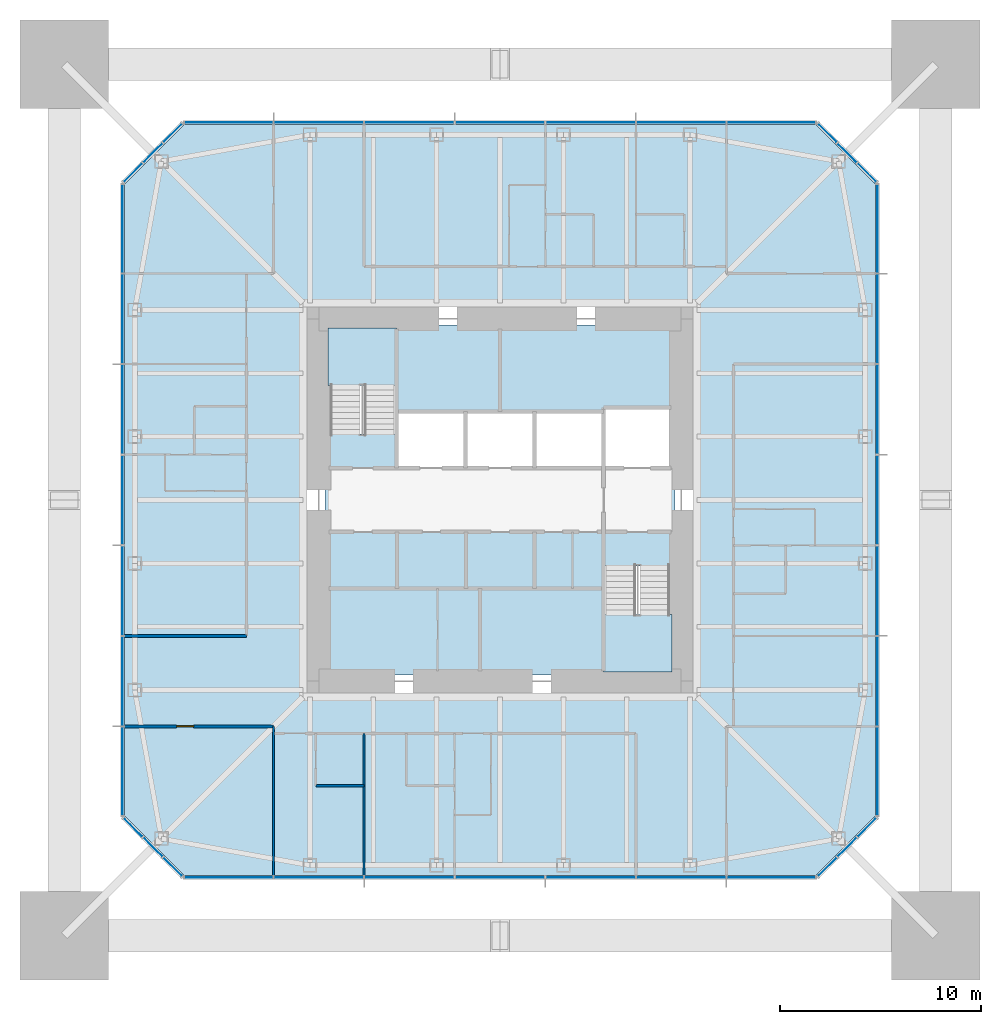
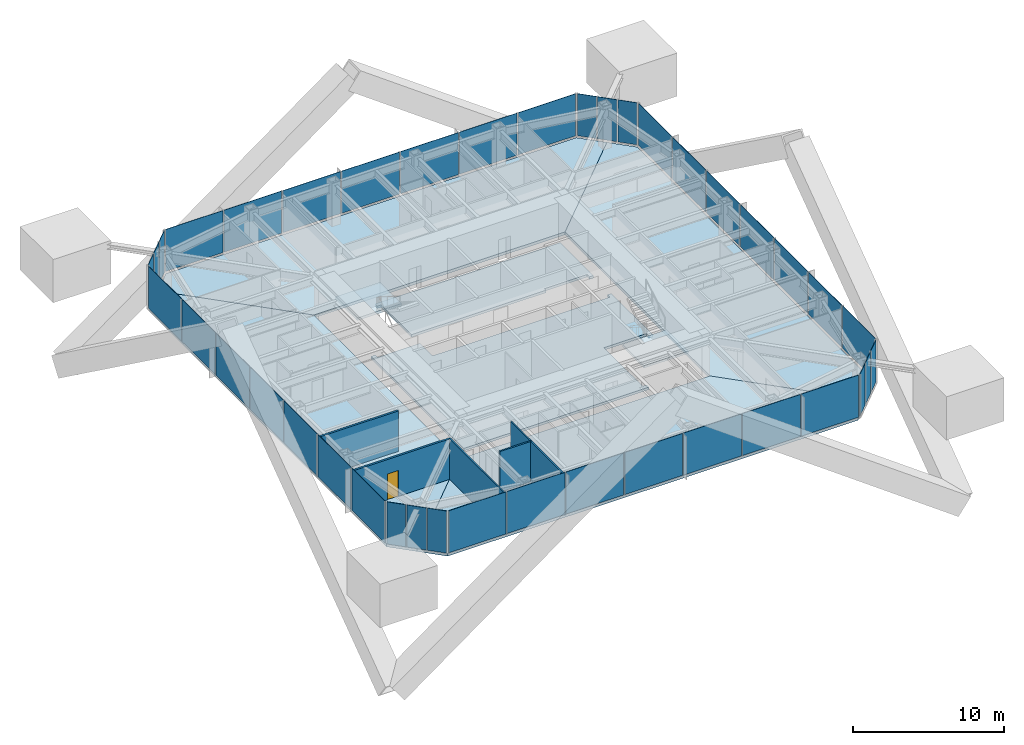
# One storey, part 7 of 13: 40 plates, 8 slabs, 5 walls, 1 door, 1 opening, 10 elements without a shape of their own.
"""IFC4 building model written with IfcOpenShell, lengths in metres."""

from ifc_helpers import new_model, si_unit, direction, frame, frame_2d, origin, origin_2d, place, context, subcontext, project, spatial, polyline, rectangle, outline, extrude, material, layer, layer_set, constituent, constituent_set, type_object, element, fill, aggregate, save


model = new_model("IFC4")

# Units and contexts
model_context = context("Model", 3, precision=1e-05, world=origin(), true_north=direction((0.0, 1.0)))
body_context = subcontext(model_context, "Body", "Model", "MODEL_VIEW")
ifc_project = project(units=[si_unit("LENGTHUNIT", "METRE"), si_unit("AREAUNIT", "SQUARE_METRE"), si_unit("VOLUMEUNIT", "CUBIC_METRE"), si_unit("PLANEANGLEUNIT", "RADIAN"), si_unit("MASSUNIT", "GRAM", prefix="KILO")], contexts=[model_context])

# Site, building, storey
site_placement = place(None, origin())
site = spatial("IfcSite", under=ifc_project, at=site_placement, CompositionType="ELEMENT")
building_placement = place(site_placement, origin())
building = spatial("IfcBuilding", under=site, at=building_placement, Name="Iwan Alto Co-Living Towers", CompositionType="ELEMENT")
storey_placement = place(building_placement, frame((0.0, 0.0, 184.5)))
storey = spatial("IfcBuildingStorey", under=building, at=storey_placement, Name="L50", CompositionType="ELEMENT", Elevation=184.5)

# Slabs
ifc_material_1 = material(Name="Concrete f'c 30 MPa", Category="concrete")
ifc_layer_1 = layer(ifc_material_1, 0.199951171875)
ifc_layer_set_1 = layer_set([ifc_layer_1], Name="CORE FLOOR SLAB 200")
slab_type_1 = type_object("IfcSlabType", Name="CORE FLOOR SLAB 200", PredefinedType="FLOOR", material=ifc_layer_set_1)
slab_1_placement = place(storey_placement, frame((0.0, 0.0, -0.199951171875)))
element("IfcSlab", 1, at=slab_1_placement, inside=storey, type_object=slab_type_1, Name="T1 core floor L50", PredefinedType="FLOOR", context=body_context, shape_type="SweptSolid", body=[
    extrude(outline(polyline([(5.14990234375, -8.39990234375), (5.4599609375, -8.39990234375), (5.4599609375, -8.699951171875), (-8.699951171875, -8.699951171875), (-8.699951171875, 3.580078125), (-8.39990234375, 3.580078125), (-8.39990234375, 3.27001953125), (-5.14990234375, 3.27001953125), (-5.14990234375, 1.60009765625), (-1.717041015625, 1.60009765625), (1.717041015625, 1.60009765625), (5.14990234375, 1.60009765625), (8.39990234375, 1.60009765625), (8.39990234375, 1.909912109375), (8.699951171875, 1.909912109375), (8.699951171875, -3.580078125), (8.39990234375, -3.580078125), (8.39990234375, -3.27001953125), (5.14990234375, -3.27001953125), (5.14990234375, -8.39990234375)])), origin(), (0.0, 0.0, 1.0), 0.199951171875),
])
slab_2_placement = place(storey_placement, frame((0.0, 0.0, -0.199951171875)))
element("IfcSlab", 2, at=slab_2_placement, inside=storey, type_object=slab_type_1, Name="T1 core floor L50", PredefinedType="FLOOR", context=body_context, shape_type="SweptSolid", body=[
    extrude(outline(polyline([(1.717041015625, 4.39990234375), (-1.717041015625, 4.39990234375), (-5.14990234375, 4.39990234375), (-5.14990234375, 8.39990234375), (-5.4599609375, 8.39990234375), (-5.4599609375, 8.699951171875), (8.699951171875, 8.699951171875), (8.699951171875, 4.2900390625), (8.39990234375, 4.2900390625), (8.39990234375, 4.60009765625), (5.14990234375, 4.60009765625), (5.14990234375, 4.39990234375), (1.717041015625, 4.39990234375)])), origin(), (0.0, 0.0, 1.0), 0.199951171875),
])

# Curtain wall, plates
ifc_material_2 = material(Name="Bronze aluminium unitised frame", Category="aluminium")
curtain_wall_type_1 = type_object("IfcCurtainWallType", Name="CURTAIN WALL CW-A", PredefinedType="NOTDEFINED", material=ifc_material_2)
curtain_wall_1_placement = place(storey_placement, origin())
curtain_wall_1 = element("IfcCurtainWall", 3, at=curtain_wall_1_placement, inside=storey, type_object=curtain_wall_type_1, Name="T1 curtain wall S L50", PredefinedType="NOTDEFINED")
ifc_material_3 = material(Name="Bronze-tinted insulating glass", Category="glass")
ifc_layer_2 = layer(ifc_material_3, 0.031982421875)
ifc_layer_set_2 = layer_set([ifc_layer_2], Name="CW-A PANEL TINTED IGU 32")
plate_type_1 = type_object("IfcPlateType", Name="CW-A PANEL TINTED IGU 32", PredefinedType="CURTAIN_PANEL", material=ifc_layer_set_2)
plate_1_placement = place(storey_placement, frame((-13.47998046875, -18.75, 0.10009765625), z_axis=(0.0, 0.0, 1.0), x_axis=(1.0, 0.0, 0.0)))
plate_1 = element("IfcPlate", 4, at=plate_1_placement, type_object=plate_type_1, Name="CW-A panel 1.1", PredefinedType="CURTAIN_PANEL", context=body_context, shape_type="SweptSolid", body=[
    extrude(rectangle(XDim=4.3798828125, YDim=0.031982421875, at=origin_2d()), origin(), (0.0, 0.0, 1.0), 3.39990234375),
])
plate_2_placement = place(storey_placement, frame((-9.0, -18.75, 0.10009765625), z_axis=(0.0, 0.0, 1.0), x_axis=(1.0, 0.0, 0.0)))
plate_2 = element("IfcPlate", 5, at=plate_2_placement, type_object=plate_type_1, Name="CW-A panel 2.1", PredefinedType="CURTAIN_PANEL", context=body_context, shape_type="SweptSolid", body=[
    extrude(rectangle(XDim=4.419921875, YDim=0.031982421875, at=origin_2d()), origin(), (0.0, 0.0, 1.0), 3.39990234375),
])
plate_3_placement = place(storey_placement, frame((-4.5, -18.75, 0.10009765625), z_axis=(0.0, 0.0, 1.0), x_axis=(1.0, 0.0, 0.0)))
plate_3 = element("IfcPlate", 6, at=plate_3_placement, type_object=plate_type_1, Name="CW-A panel 3.1", PredefinedType="CURTAIN_PANEL", context=body_context, shape_type="SweptSolid", body=[
    extrude(rectangle(XDim=4.419921875, YDim=0.031982421875, at=origin_2d()), origin(), (0.0, 0.0, 1.0), 3.39990234375),
])
plate_4_placement = place(storey_placement, frame((0.0, -18.75, 0.10009765625), z_axis=(0.0, 0.0, 1.0), x_axis=(1.0, 0.0, 0.0)))
plate_4 = element("IfcPlate", 7, at=plate_4_placement, type_object=plate_type_1, Name="CW-A panel 4.1", PredefinedType="CURTAIN_PANEL", context=body_context, shape_type="SweptSolid", body=[
    extrude(rectangle(XDim=4.419921875, YDim=0.031982421875, at=origin_2d()), origin(), (0.0, 0.0, 1.0), 3.39990234375),
])
plate_5_placement = place(storey_placement, frame((4.5, -18.75, 0.10009765625), z_axis=(0.0, 0.0, 1.0), x_axis=(1.0, 0.0, 0.0)))
plate_5 = element("IfcPlate", 8, at=plate_5_placement, type_object=plate_type_1, Name="CW-A panel 5.1", PredefinedType="CURTAIN_PANEL", context=body_context, shape_type="SweptSolid", body=[
    extrude(rectangle(XDim=4.419921875, YDim=0.031982421875, at=origin_2d()), origin(), (0.0, 0.0, 1.0), 3.39990234375),
])
plate_6_placement = place(storey_placement, frame((9.0, -18.75, 0.10009765625), z_axis=(0.0, 0.0, 1.0), x_axis=(1.0, 0.0, 0.0)))
plate_6 = element("IfcPlate", 9, at=plate_6_placement, type_object=plate_type_1, Name="CW-A panel 6.1", PredefinedType="CURTAIN_PANEL", context=body_context, shape_type="SweptSolid", body=[
    extrude(rectangle(XDim=4.419921875, YDim=0.031982421875, at=origin_2d()), origin(), (0.0, 0.0, 1.0), 3.39990234375),
])
plate_7_placement = place(storey_placement, frame((13.47998046875, -18.75, 0.10009765625), z_axis=(0.0, 0.0, 1.0), x_axis=(1.0, 0.0, 0.0)))
plate_7 = element("IfcPlate", 10, at=plate_7_placement, type_object=plate_type_1, Name="CW-A panel 7.1", PredefinedType="CURTAIN_PANEL", context=body_context, shape_type="SweptSolid", body=[
    extrude(rectangle(XDim=4.3798828125, YDim=0.031982421875, at=origin_2d()), origin(), (0.0, 0.0, 1.0), 3.39990234375),
])
aggregate(curtain_wall_1, [plate_1, plate_2, plate_3, plate_4, plate_5, plate_6, plate_7])

curtain_wall_2_placement = place(storey_placement, origin())
curtain_wall_2 = element("IfcCurtainWall", 11, at=curtain_wall_2_placement, inside=storey, type_object=curtain_wall_type_1, Name="T1 curtain wall E L50", PredefinedType="NOTDEFINED")
plate_8_placement = place(storey_placement, frame((18.75, -13.47998046875, 0.10009765625), z_axis=(0.0, 0.0, 1.0), x_axis=(0.0, 1.0, 0.0)))
plate_8 = element("IfcPlate", 12, at=plate_8_placement, type_object=plate_type_1, Name="CW-A panel 1.1", PredefinedType="CURTAIN_PANEL", context=body_context, shape_type="SweptSolid", body=[
    extrude(rectangle(XDim=4.3798828125, YDim=0.031982421875, at=origin_2d()), origin(), (0.0, 0.0, 1.0), 3.39990234375),
])
plate_9_placement = place(storey_placement, frame((18.75, -9.0, 0.10009765625), z_axis=(0.0, 0.0, 1.0), x_axis=(0.0, 1.0, 0.0)))
plate_9 = element("IfcPlate", 13, at=plate_9_placement, type_object=plate_type_1, Name="CW-A panel 2.1", PredefinedType="CURTAIN_PANEL", context=body_context, shape_type="SweptSolid", body=[
    extrude(rectangle(XDim=4.419921875, YDim=0.031982421875, at=origin_2d()), origin(), (0.0, 0.0, 1.0), 3.39990234375),
])
plate_10_placement = place(storey_placement, frame((18.75, -4.5, 0.10009765625), z_axis=(0.0, 0.0, 1.0), x_axis=(0.0, 1.0, 0.0)))
plate_10 = element("IfcPlate", 14, at=plate_10_placement, type_object=plate_type_1, Name="CW-A panel 3.1", PredefinedType="CURTAIN_PANEL", context=body_context, shape_type="SweptSolid", body=[
    extrude(rectangle(XDim=4.419921875, YDim=0.031982421875, at=origin_2d()), origin(), (0.0, 0.0, 1.0), 3.39990234375),
])
plate_11_placement = place(storey_placement, frame((18.75, 0.0, 0.10009765625), z_axis=(0.0, 0.0, 1.0), x_axis=(0.0, 1.0, 0.0)))
plate_11 = element("IfcPlate", 15, at=plate_11_placement, type_object=plate_type_1, Name="CW-A panel 4.1", PredefinedType="CURTAIN_PANEL", context=body_context, shape_type="SweptSolid", body=[
    extrude(rectangle(XDim=4.419921875, YDim=0.031982421875, at=origin_2d()), origin(), (0.0, 0.0, 1.0), 3.39990234375),
])
plate_12_placement = place(storey_placement, frame((18.75, 4.5, 0.10009765625), z_axis=(0.0, 0.0, 1.0), x_axis=(0.0, 1.0, 0.0)))
plate_12 = element("IfcPlate", 16, at=plate_12_placement, type_object=plate_type_1, Name="CW-A panel 5.1", PredefinedType="CURTAIN_PANEL", context=body_context, shape_type="SweptSolid", body=[
    extrude(rectangle(XDim=4.419921875, YDim=0.031982421875, at=origin_2d()), origin(), (0.0, 0.0, 1.0), 3.39990234375),
])
plate_13_placement = place(storey_placement, frame((18.75, 9.0, 0.10009765625), z_axis=(0.0, 0.0, 1.0), x_axis=(0.0, 1.0, 0.0)))
plate_13 = element("IfcPlate", 17, at=plate_13_placement, type_object=plate_type_1, Name="CW-A panel 6.1", PredefinedType="CURTAIN_PANEL", context=body_context, shape_type="SweptSolid", body=[
    extrude(rectangle(XDim=4.419921875, YDim=0.031982421875, at=origin_2d()), origin(), (0.0, 0.0, 1.0), 3.39990234375),
])
plate_14_placement = place(storey_placement, frame((18.75, 13.47998046875, 0.10009765625), z_axis=(0.0, 0.0, 1.0), x_axis=(0.0, 1.0, 0.0)))
plate_14 = element("IfcPlate", 18, at=plate_14_placement, type_object=plate_type_1, Name="CW-A panel 7.1", PredefinedType="CURTAIN_PANEL", context=body_context, shape_type="SweptSolid", body=[
    extrude(rectangle(XDim=4.3798828125, YDim=0.031982421875, at=origin_2d()), origin(), (0.0, 0.0, 1.0), 3.39990234375),
])
aggregate(curtain_wall_2, [plate_8, plate_9, plate_10, plate_11, plate_12, plate_13, plate_14])

curtain_wall_3_placement = place(storey_placement, origin())
curtain_wall_3 = element("IfcCurtainWall", 19, at=curtain_wall_3_placement, inside=storey, type_object=curtain_wall_type_1, Name="T1 curtain wall N L50", PredefinedType="NOTDEFINED")
plate_15_placement = place(storey_placement, frame((13.47998046875, 18.75, 0.10009765625), z_axis=(0.0, 0.0, 1.0), x_axis=(-1.0, 0.0, 0.0)))
plate_15 = element("IfcPlate", 20, at=plate_15_placement, type_object=plate_type_1, Name="CW-A panel 1.1", PredefinedType="CURTAIN_PANEL", context=body_context, shape_type="SweptSolid", body=[
    extrude(rectangle(XDim=4.3798828125, YDim=0.031982421875, at=origin_2d()), origin(), (0.0, 0.0, 1.0), 3.39990234375),
])
plate_16_placement = place(storey_placement, frame((9.0, 18.75, 0.10009765625), z_axis=(0.0, 0.0, 1.0), x_axis=(-1.0, 0.0, 0.0)))
plate_16 = element("IfcPlate", 21, at=plate_16_placement, type_object=plate_type_1, Name="CW-A panel 2.1", PredefinedType="CURTAIN_PANEL", context=body_context, shape_type="SweptSolid", body=[
    extrude(rectangle(XDim=4.419921875, YDim=0.031982421875, at=origin_2d()), origin(), (0.0, 0.0, 1.0), 3.39990234375),
])
plate_17_placement = place(storey_placement, frame((4.5, 18.75, 0.10009765625), z_axis=(0.0, 0.0, 1.0), x_axis=(-1.0, 0.0, 0.0)))
plate_17 = element("IfcPlate", 22, at=plate_17_placement, type_object=plate_type_1, Name="CW-A panel 3.1", PredefinedType="CURTAIN_PANEL", context=body_context, shape_type="SweptSolid", body=[
    extrude(rectangle(XDim=4.419921875, YDim=0.031982421875, at=origin_2d()), origin(), (0.0, 0.0, 1.0), 3.39990234375),
])
plate_18_placement = place(storey_placement, frame((0.0, 18.75, 0.10009765625), z_axis=(0.0, 0.0, 1.0), x_axis=(-1.0, 0.0, 0.0)))
plate_18 = element("IfcPlate", 23, at=plate_18_placement, type_object=plate_type_1, Name="CW-A panel 4.1", PredefinedType="CURTAIN_PANEL", context=body_context, shape_type="SweptSolid", body=[
    extrude(rectangle(XDim=4.419921875, YDim=0.031982421875, at=origin_2d()), origin(), (0.0, 0.0, 1.0), 3.39990234375),
])
plate_19_placement = place(storey_placement, frame((-4.5, 18.75, 0.10009765625), z_axis=(0.0, 0.0, 1.0), x_axis=(-1.0, 0.0, 0.0)))
plate_19 = element("IfcPlate", 24, at=plate_19_placement, type_object=plate_type_1, Name="CW-A panel 5.1", PredefinedType="CURTAIN_PANEL", context=body_context, shape_type="SweptSolid", body=[
    extrude(rectangle(XDim=4.419921875, YDim=0.031982421875, at=origin_2d()), origin(), (0.0, 0.0, 1.0), 3.39990234375),
])
plate_20_placement = place(storey_placement, frame((-9.0, 18.75, 0.10009765625), z_axis=(0.0, 0.0, 1.0), x_axis=(-1.0, 0.0, 0.0)))
plate_20 = element("IfcPlate", 25, at=plate_20_placement, type_object=plate_type_1, Name="CW-A panel 6.1", PredefinedType="CURTAIN_PANEL", context=body_context, shape_type="SweptSolid", body=[
    extrude(rectangle(XDim=4.419921875, YDim=0.031982421875, at=origin_2d()), origin(), (0.0, 0.0, 1.0), 3.39990234375),
])
plate_21_placement = place(storey_placement, frame((-13.47998046875, 18.75, 0.10009765625), z_axis=(0.0, 0.0, 1.0), x_axis=(-1.0, 0.0, 0.0)))
plate_21 = element("IfcPlate", 26, at=plate_21_placement, type_object=plate_type_1, Name="CW-A panel 7.1", PredefinedType="CURTAIN_PANEL", context=body_context, shape_type="SweptSolid", body=[
    extrude(rectangle(XDim=4.3798828125, YDim=0.031982421875, at=origin_2d()), origin(), (0.0, 0.0, 1.0), 3.39990234375),
])
aggregate(curtain_wall_3, [plate_15, plate_16, plate_17, plate_18, plate_19, plate_20, plate_21])

curtain_wall_4_placement = place(storey_placement, origin())
curtain_wall_4 = element("IfcCurtainWall", 27, at=curtain_wall_4_placement, inside=storey, type_object=curtain_wall_type_1, Name="T1 curtain wall W L50", PredefinedType="NOTDEFINED")
plate_22_placement = place(storey_placement, frame((-18.75, 13.47998046875, 0.10009765625), z_axis=(0.0, 0.0, 1.0), x_axis=(0.0, -1.0, 0.0)))
plate_22 = element("IfcPlate", 28, at=plate_22_placement, type_object=plate_type_1, Name="CW-A panel 1.1", PredefinedType="CURTAIN_PANEL", context=body_context, shape_type="SweptSolid", body=[
    extrude(rectangle(XDim=4.3798828125, YDim=0.031982421875, at=origin_2d()), origin(), (0.0, 0.0, 1.0), 3.39990234375),
])
plate_23_placement = place(storey_placement, frame((-18.75, 9.0, 0.10009765625), z_axis=(0.0, 0.0, 1.0), x_axis=(0.0, -1.0, 0.0)))
plate_23 = element("IfcPlate", 29, at=plate_23_placement, type_object=plate_type_1, Name="CW-A panel 2.1", PredefinedType="CURTAIN_PANEL", context=body_context, shape_type="SweptSolid", body=[
    extrude(rectangle(XDim=4.419921875, YDim=0.031982421875, at=origin_2d()), origin(), (0.0, 0.0, 1.0), 3.39990234375),
])
plate_24_placement = place(storey_placement, frame((-18.75, 4.5, 0.10009765625), z_axis=(0.0, 0.0, 1.0), x_axis=(0.0, -1.0, 0.0)))
plate_24 = element("IfcPlate", 30, at=plate_24_placement, type_object=plate_type_1, Name="CW-A panel 3.1", PredefinedType="CURTAIN_PANEL", context=body_context, shape_type="SweptSolid", body=[
    extrude(rectangle(XDim=4.419921875, YDim=0.031982421875, at=origin_2d()), origin(), (0.0, 0.0, 1.0), 3.39990234375),
])
plate_25_placement = place(storey_placement, frame((-18.75, 0.0, 0.10009765625), z_axis=(0.0, 0.0, 1.0), x_axis=(0.0, -1.0, 0.0)))
plate_25 = element("IfcPlate", 31, at=plate_25_placement, type_object=plate_type_1, Name="CW-A panel 4.1", PredefinedType="CURTAIN_PANEL", context=body_context, shape_type="SweptSolid", body=[
    extrude(rectangle(XDim=4.419921875, YDim=0.031982421875, at=origin_2d()), origin(), (0.0, 0.0, 1.0), 3.39990234375),
])
plate_26_placement = place(storey_placement, frame((-18.75, -4.5, 0.10009765625), z_axis=(0.0, 0.0, 1.0), x_axis=(0.0, -1.0, 0.0)))
plate_26 = element("IfcPlate", 32, at=plate_26_placement, type_object=plate_type_1, Name="CW-A panel 5.1", PredefinedType="CURTAIN_PANEL", context=body_context, shape_type="SweptSolid", body=[
    extrude(rectangle(XDim=4.419921875, YDim=0.031982421875, at=origin_2d()), origin(), (0.0, 0.0, 1.0), 3.39990234375),
])
plate_27_placement = place(storey_placement, frame((-18.75, -9.0, 0.10009765625), z_axis=(0.0, 0.0, 1.0), x_axis=(0.0, -1.0, 0.0)))
plate_27 = element("IfcPlate", 33, at=plate_27_placement, type_object=plate_type_1, Name="CW-A panel 6.1", PredefinedType="CURTAIN_PANEL", context=body_context, shape_type="SweptSolid", body=[
    extrude(rectangle(XDim=4.419921875, YDim=0.031982421875, at=origin_2d()), origin(), (0.0, 0.0, 1.0), 3.39990234375),
])
plate_28_placement = place(storey_placement, frame((-18.75, -13.47998046875, 0.10009765625), z_axis=(0.0, 0.0, 1.0), x_axis=(0.0, -1.0, 0.0)))
plate_28 = element("IfcPlate", 34, at=plate_28_placement, type_object=plate_type_1, Name="CW-A panel 7.1", PredefinedType="CURTAIN_PANEL", context=body_context, shape_type="SweptSolid", body=[
    extrude(rectangle(XDim=4.3798828125, YDim=0.031982421875, at=origin_2d()), origin(), (0.0, 0.0, 1.0), 3.39990234375),
])
aggregate(curtain_wall_4, [plate_22, plate_23, plate_24, plate_25, plate_26, plate_27, plate_28])

ifc_material_4 = material(Name="Bronze aluminium unitised frame", Category="aluminium")
curtain_wall_type_2 = type_object("IfcCurtainWallType", Name="CURTAIN WALL CW-B", PredefinedType="NOTDEFINED", material=ifc_material_4)
curtain_wall_5_placement = place(storey_placement, origin())
curtain_wall_5 = element("IfcCurtainWall", 35, at=curtain_wall_5_placement, inside=storey, type_object=curtain_wall_type_2, Name="T1 chamfer curtain wall SE L50", PredefinedType="NOTDEFINED")
ifc_material_5 = material(Name="Bronze-tinted insulating glass", Category="glass")
ifc_layer_3 = layer(ifc_material_5, 0.031982421875)
ifc_layer_set_3 = layer_set([ifc_layer_3], Name="CW-B PANEL TINTED IGU 32")
plate_type_2 = type_object("IfcPlateType", Name="CW-B PANEL TINTED IGU 32", PredefinedType="CURTAIN_PANEL", material=ifc_layer_set_3)
plate_29_placement = place(storey_placement, frame((16.26416015625, -18.23583984375, 0.10009765625), z_axis=(0.0, 0.0, 1.0), x_axis=(0.707106781187, 0.707106781187, 0.0)))
plate_29 = element("IfcPlate", 36, at=plate_29_placement, type_object=plate_type_2, Name="CW-B panel 1.1", PredefinedType="CURTAIN_PANEL", context=body_context, shape_type="SweptSolid", body=[
    extrude(rectangle(XDim=1.294189453125, YDim=0.031982421875, at=origin_2d()), origin(), (0.0, 0.0, 1.0), 3.39990234375),
])
plate_30_placement = place(storey_placement, frame((17.25, -17.25, 0.10009765625), z_axis=(0.0, 0.0, 1.0), x_axis=(0.707106781187, 0.707106781187, 0.0)))
plate_30 = element("IfcPlate", 37, at=plate_30_placement, type_object=plate_type_2, Name="CW-B panel 2.1", PredefinedType="CURTAIN_PANEL", context=body_context, shape_type="SweptSolid", body=[
    extrude(rectangle(XDim=1.334228515625, YDim=0.031982421875, at=origin_2d()), origin(), (0.0, 0.0, 1.0), 3.39990234375),
])
plate_31_placement = place(storey_placement, frame((18.23583984375, -16.26416015625, 0.10009765625), z_axis=(0.0, 0.0, 1.0), x_axis=(0.707106781187, 0.707106781187, 0.0)))
plate_31 = element("IfcPlate", 38, at=plate_31_placement, type_object=plate_type_2, Name="CW-B panel 3.1", PredefinedType="CURTAIN_PANEL", context=body_context, shape_type="SweptSolid", body=[
    extrude(rectangle(XDim=1.294189453125, YDim=0.031982421875, at=origin_2d()), origin(), (0.0, 0.0, 1.0), 3.39990234375),
])
aggregate(curtain_wall_5, [plate_29, plate_30, plate_31])

curtain_wall_6_placement = place(storey_placement, origin())
curtain_wall_6 = element("IfcCurtainWall", 39, at=curtain_wall_6_placement, inside=storey, type_object=curtain_wall_type_2, Name="T1 chamfer curtain wall NE L50", PredefinedType="NOTDEFINED")
plate_32_placement = place(storey_placement, frame((18.23583984375, 16.26416015625, 0.10009765625), z_axis=(0.0, 0.0, 1.0), x_axis=(-0.707106781187, 0.707106781187, 0.0)))
plate_32 = element("IfcPlate", 40, at=plate_32_placement, type_object=plate_type_2, Name="CW-B panel 1.1", PredefinedType="CURTAIN_PANEL", context=body_context, shape_type="SweptSolid", body=[
    extrude(rectangle(XDim=1.294189453125, YDim=0.031982421875, at=origin_2d()), origin(), (0.0, 0.0, 1.0), 3.39990234375),
])
plate_33_placement = place(storey_placement, frame((17.25, 17.25, 0.10009765625), z_axis=(0.0, 0.0, 1.0), x_axis=(-0.707106781187, 0.707106781187, 0.0)))
plate_33 = element("IfcPlate", 41, at=plate_33_placement, type_object=plate_type_2, Name="CW-B panel 2.1", PredefinedType="CURTAIN_PANEL", context=body_context, shape_type="SweptSolid", body=[
    extrude(rectangle(XDim=1.334228515625, YDim=0.031982421875, at=origin_2d()), origin(), (0.0, 0.0, 1.0), 3.39990234375),
])
plate_34_placement = place(storey_placement, frame((16.26416015625, 18.23583984375, 0.10009765625), z_axis=(0.0, 0.0, 1.0), x_axis=(-0.707106781187, 0.707106781187, 0.0)))
plate_34 = element("IfcPlate", 42, at=plate_34_placement, type_object=plate_type_2, Name="CW-B panel 3.1", PredefinedType="CURTAIN_PANEL", context=body_context, shape_type="SweptSolid", body=[
    extrude(rectangle(XDim=1.294189453125, YDim=0.031982421875, at=origin_2d()), origin(), (0.0, 0.0, 1.0), 3.39990234375),
])
aggregate(curtain_wall_6, [plate_32, plate_33, plate_34])

curtain_wall_7_placement = place(storey_placement, origin())
curtain_wall_7 = element("IfcCurtainWall", 43, at=curtain_wall_7_placement, inside=storey, type_object=curtain_wall_type_2, Name="T1 chamfer curtain wall NW L50", PredefinedType="NOTDEFINED")
plate_35_placement = place(storey_placement, frame((-16.26416015625, 18.23583984375, 0.10009765625), z_axis=(0.0, 0.0, 1.0), x_axis=(-0.707106781187, -0.707106781187, 0.0)))
plate_35 = element("IfcPlate", 44, at=plate_35_placement, type_object=plate_type_2, Name="CW-B panel 1.1", PredefinedType="CURTAIN_PANEL", context=body_context, shape_type="SweptSolid", body=[
    extrude(rectangle(XDim=1.294189453125, YDim=0.031982421875, at=origin_2d()), origin(), (0.0, 0.0, 1.0), 3.39990234375),
])
plate_36_placement = place(storey_placement, frame((-17.25, 17.25, 0.10009765625), z_axis=(0.0, 0.0, 1.0), x_axis=(-0.707106781187, -0.707106781187, 0.0)))
plate_36 = element("IfcPlate", 45, at=plate_36_placement, type_object=plate_type_2, Name="CW-B panel 2.1", PredefinedType="CURTAIN_PANEL", context=body_context, shape_type="SweptSolid", body=[
    extrude(rectangle(XDim=1.334228515625, YDim=0.031982421875, at=origin_2d()), origin(), (0.0, 0.0, 1.0), 3.39990234375),
])
plate_37_placement = place(storey_placement, frame((-18.23583984375, 16.26416015625, 0.10009765625), z_axis=(0.0, 0.0, 1.0), x_axis=(-0.707106781187, -0.707106781187, 0.0)))
plate_37 = element("IfcPlate", 46, at=plate_37_placement, type_object=plate_type_2, Name="CW-B panel 3.1", PredefinedType="CURTAIN_PANEL", context=body_context, shape_type="SweptSolid", body=[
    extrude(rectangle(XDim=1.294189453125, YDim=0.031982421875, at=origin_2d()), origin(), (0.0, 0.0, 1.0), 3.39990234375),
])
aggregate(curtain_wall_7, [plate_35, plate_36, plate_37])

curtain_wall_8_placement = place(storey_placement, origin())
curtain_wall_8 = element("IfcCurtainWall", 47, at=curtain_wall_8_placement, inside=storey, type_object=curtain_wall_type_2, Name="T1 chamfer curtain wall SW L50", PredefinedType="NOTDEFINED")
plate_38_placement = place(storey_placement, frame((-18.23583984375, -16.26416015625, 0.10009765625), z_axis=(0.0, 0.0, 1.0), x_axis=(0.707106781187, -0.707106781187, 0.0)))
plate_38 = element("IfcPlate", 48, at=plate_38_placement, type_object=plate_type_2, Name="CW-B panel 1.1", PredefinedType="CURTAIN_PANEL", context=body_context, shape_type="SweptSolid", body=[
    extrude(rectangle(XDim=1.294189453125, YDim=0.031982421875, at=origin_2d()), origin(), (0.0, 0.0, 1.0), 3.39990234375),
])
plate_39_placement = place(storey_placement, frame((-17.25, -17.25, 0.10009765625), z_axis=(0.0, 0.0, 1.0), x_axis=(0.707106781187, -0.707106781187, 0.0)))
plate_39 = element("IfcPlate", 49, at=plate_39_placement, type_object=plate_type_2, Name="CW-B panel 2.1", PredefinedType="CURTAIN_PANEL", context=body_context, shape_type="SweptSolid", body=[
    extrude(rectangle(XDim=1.334228515625, YDim=0.031982421875, at=origin_2d()), origin(), (0.0, 0.0, 1.0), 3.39990234375),
])
plate_40_placement = place(storey_placement, frame((-16.26416015625, -18.23583984375, 0.10009765625), z_axis=(0.0, 0.0, 1.0), x_axis=(0.707106781187, -0.707106781187, 0.0)))
plate_40 = element("IfcPlate", 50, at=plate_40_placement, type_object=plate_type_2, Name="CW-B panel 3.1", PredefinedType="CURTAIN_PANEL", context=body_context, shape_type="SweptSolid", body=[
    extrude(rectangle(XDim=1.294189453125, YDim=0.031982421875, at=origin_2d()), origin(), (0.0, 0.0, 1.0), 3.39990234375),
])
aggregate(curtain_wall_8, [plate_38, plate_39, plate_40])

# Stair, slab
ifc_material_6 = material(Name="Steel ASTM A36", Category="steel")
ifc_constituent_1 = constituent(ifc_material_6, Name="Stringers", Category="LoadBearing")
ifc_material_7 = material(Name="Concrete f'c 30 MPa", Category="concrete")
ifc_constituent_2 = constituent(ifc_material_7, Name="Tread fill", Category="Finish")
ifc_constituent_set = constituent_set(constituents=[ifc_constituent_1, ifc_constituent_2], Name="STAIR 3500 TWO-FLIGHT T1 CORE")
stair_type = type_object("IfcStairType", Name="STAIR 3500 TWO-FLIGHT T1 CORE", PredefinedType="HALF_TURN_STAIR", material=ifc_constituent_set)
stair_1_placement = place(storey_placement, origin())
stair_1 = element("IfcStair", 51, at=stair_1_placement, inside=storey, type_object=stair_type, Name="Stair T1-S1 L50 to L51", PredefinedType="HALF_TURN_STAIR")
ifc_material_8 = material(Name="Concrete f'c 30 MPa", Category="concrete")
ifc_layer_4 = layer(ifc_material_8, 0.199951171875)
ifc_layer_set_4 = layer_set([ifc_layer_4], Name="STAIR LANDING 200")
slab_type_2 = type_object("IfcSlabType", Name="STAIR LANDING 200", PredefinedType="LANDING", material=ifc_layer_set_4)
slab_3_placement = place(storey_placement, frame((0.0, 0.0, 1.550048828125)))
slab_3 = element("IfcSlab", 52, at=slab_3_placement, type_object=slab_type_2, Name="T1-S1 landing 1", PredefinedType="LANDING", context=body_context, shape_type="SweptSolid", body=[
    extrude(outline(polyline([(-8.550048828125, 5.68994140625), (-8.550048828125, 8.550048828125), (-5.14990234375, 8.550048828125), (-5.14990234375, 5.68994140625), (-8.550048828125, 5.68994140625)])), origin(), (0.0, 0.0, 1.0), 0.199951171875),
])
aggregate(stair_1, [slab_3])

stair_2_placement = place(storey_placement, origin())
stair_2 = element("IfcStair", 53, at=stair_2_placement, inside=storey, type_object=stair_type, Name="Stair T1-S2 L50 to L51", PredefinedType="HALF_TURN_STAIR")
slab_4_placement = place(storey_placement, frame((0.0, 0.0, 1.550048828125)))
slab_4 = element("IfcSlab", 54, at=slab_4_placement, type_object=slab_type_2, Name="T1-S2 landing 1", PredefinedType="LANDING", context=body_context, shape_type="SweptSolid", body=[
    extrude(outline(polyline([(5.14990234375, -5.68994140625), (5.14990234375, -8.550048828125), (8.550048828125, -8.550048828125), (8.550048828125, -5.68994140625), (5.14990234375, -5.68994140625)])), origin(), (0.0, 0.0, 1.0), 0.199951171875),
])
aggregate(stair_2, [slab_4])

# Slabs
ifc_material_9 = material(Name="Concrete f'c 30 MPa", Category="concrete")
ifc_layer_5 = layer(ifc_material_9, 0.22998046875)
ifc_layer_set_5 = layer_set([ifc_layer_5], Name="T1 FLOOR SLAB 230")
slab_type_3 = type_object("IfcSlabType", Name="T1 FLOOR SLAB 230", PredefinedType="FLOOR", material=ifc_layer_set_5)
slab_5_placement = place(storey_placement, frame((0.0, 0.0, -0.22998046875)))
element("IfcSlab", 55, at=slab_5_placement, inside=storey, type_object=slab_type_3, Name="T1 floor slab L50 S pour", PredefinedType="FLOOR", context=body_context, shape_type="SweptSolid", body=[
    extrude(outline(polyline([(15.69140625, -18.64990234375), (-15.69140625, -18.64990234375), (-17.170654296875, -17.170654296875), (-9.60009765625, -9.60009765625), (9.60009765625, -9.60009765625), (17.170654296875, -17.170654296875), (15.69140625, -18.64990234375)])), origin(), (0.0, 0.0, 1.0), 0.22998046875),
])
slab_6_placement = place(storey_placement, frame((0.0, 0.0, -0.22998046875)))
element("IfcSlab", 56, at=slab_6_placement, inside=storey, type_object=slab_type_3, Name="T1 floor slab L50 E pour", PredefinedType="FLOOR", context=body_context, shape_type="SweptSolid", body=[
    extrude(outline(polyline([(18.64990234375, 15.69140625), (18.64990234375, -15.69140625), (17.170654296875, -17.170654296875), (9.60009765625, -9.60009765625), (9.60009765625, 9.60009765625), (17.170654296875, 17.170654296875), (18.64990234375, 15.69140625)])), origin(), (0.0, 0.0, 1.0), 0.22998046875),
])
slab_7_placement = place(storey_placement, frame((0.0, 0.0, -0.22998046875)))
element("IfcSlab", 57, at=slab_7_placement, inside=storey, type_object=slab_type_3, Name="T1 floor slab L50 N pour", PredefinedType="FLOOR", context=body_context, shape_type="SweptSolid", body=[
    extrude(outline(polyline([(-15.69140625, 18.64990234375), (15.69140625, 18.64990234375), (17.170654296875, 17.170654296875), (9.60009765625, 9.60009765625), (-9.60009765625, 9.60009765625), (-17.170654296875, 17.170654296875), (-15.69140625, 18.64990234375)])), origin(), (0.0, 0.0, 1.0), 0.22998046875),
])
slab_8_placement = place(storey_placement, frame((0.0, 0.0, -0.22998046875)))
element("IfcSlab", 58, at=slab_8_placement, inside=storey, type_object=slab_type_3, Name="T1 floor slab L50 W pour", PredefinedType="FLOOR", context=body_context, shape_type="SweptSolid", body=[
    extrude(outline(polyline([(-18.64990234375, 15.69140625), (-17.170654296875, 17.170654296875), (-9.60009765625, 9.60009765625), (-9.60009765625, -9.60009765625), (-17.170654296875, -17.170654296875), (-18.64990234375, -15.69140625), (-18.64990234375, 15.69140625)])), origin(), (0.0, 0.0, 1.0), 0.22998046875),
])

# Wall, opening, door
ifc_material_10 = material(Name="Gypsum board")
ifc_layer_6 = layer(ifc_material_10, 0.02490234375, Name="Board", Category="Finish")
ifc_material_11 = material(Name="Steel ASTM A1003 ST33H cold-formed studs", Category="steel")
ifc_layer_7 = layer(ifc_material_11, 0.10009765625, Name="Studs", Category="Framing")
ifc_layer_8 = layer(ifc_material_10, 0.02490234375, Name="Board", Category="Finish")
ifc_layer_set_6 = layer_set([ifc_layer_6, ifc_layer_7, ifc_layer_8], Name="CORRIDOR WALL 150")
wall_type_1 = type_object("IfcWallType", Name="CORRIDOR WALL 150", PredefinedType="PARTITIONING", material=ifc_layer_set_6)
wall_1_placement = place(storey_placement, frame((-18.68994140625, -11.25, 0.0), z_axis=(0.0, 0.0, 1.0), x_axis=(1.0, 0.0, 0.0)))
wall_1 = element("IfcWall", 59, at=wall_1_placement, inside=storey, type_object=wall_type_1, Name="Partition L50", PredefinedType="PARTITIONING", context=body_context, shape_type="SweptSolid", body=[
    extrude(rectangle(XDim=7.43994140625, YDim=0.14990234375, at=frame_2d((3.719970703125, 0.0))), origin(), (0.0, 0.0, 1.0), 3.27001953125),
])
opening_placement = place(wall_1_placement, frame((2.6201171875, 0.0, 0.0)))
opening = element("IfcOpeningElement", 60, at=opening_placement, cuts=wall_1, Name="Opening D2", PredefinedType="OPENING", context=body_context, shape_type="SweptSolid", body=[
    extrude(rectangle(XDim=0.85009765625, YDim=2.10009765625, at=frame_2d((0.425048828125, 1.050048828125))), frame((0.0, 0.0849609375, 0.0), z_axis=(0.0, -1.0, 0.0), x_axis=(1.0, 0.0, 0.0)), (0.0, 0.0, 1.0), 0.169921875),
])
ifc_material_12 = material(Name="Timber leaf in steel frame", Category="steel")
door_type = type_object("IfcDoorType", Name="ROOM DOOR 850X2100", OperationType="SINGLE_SWING_LEFT", PredefinedType="DOOR", material=ifc_material_12)
door_placement = place(opening_placement, frame((0.85009765625, 0.0, 0.0), z_axis=(0.0, 0.0, 1.0), x_axis=(-1.0, 0.0, 0.0)))
door = element("IfcDoor", 61, at=door_placement, inside=storey, type_object=door_type, Name="Shared kitchen and lounge door L50", OperationType="SINGLE_SWING_RIGHT", OverallHeight=2.10009765625, OverallWidth=0.85009765625, PredefinedType="DOOR", context=body_context, shape_type="SweptSolid", body=[
    extrude(rectangle(XDim=0.85009765625, YDim=2.10009765625, at=frame_2d((0.425048828125, 1.050048828125))), frame((0.0, 0.02490234375, 0.0), z_axis=(0.0, -1.0, 0.0), x_axis=(1.0, 0.0, 0.0)), (0.0, 0.0, 1.0), 0.050048828125),
])
fill(opening, door)

# Walls
wall_2_placement = place(storey_placement, frame((-18.68994140625, -6.75, 0.0), z_axis=(0.0, 0.0, 1.0), x_axis=(1.0, 0.0, 0.0)))
element("IfcWall", 62, at=wall_2_placement, inside=storey, type_object=wall_type_1, Name="Partition L50", PredefinedType="PARTITIONING", context=body_context, shape_type="SweptSolid", body=[
    extrude(rectangle(XDim=6.08984375, YDim=0.14990234375, at=frame_2d((3.044921875, 0.0))), origin(), (0.0, 0.0, 1.0), 3.27001953125),
])
ifc_layer_9 = layer(ifc_material_10, 0.012451171875, Name="Board", Category="Finish")
ifc_layer_10 = layer(ifc_material_11, 0.074951171875, Name="Studs", Category="Framing")
ifc_layer_11 = layer(ifc_material_10, 0.012451171875, Name="Board", Category="Finish")
ifc_layer_set_7 = layer_set([ifc_layer_9, ifc_layer_10, ifc_layer_11], Name="PARTITION 100")
wall_type_2 = type_object("IfcWallType", Name="PARTITION 100", PredefinedType="PARTITIONING", material=ifc_layer_set_7)
wall_3_placement = place(storey_placement, frame((-6.75, -18.68994140625, 0.0), z_axis=(0.0, 0.0, 1.0), x_axis=(0.0, 1.0, 0.0)))
element("IfcWall", 63, at=wall_3_placement, inside=storey, type_object=wall_type_2, Name="Partition L50", PredefinedType="PARTITIONING", context=body_context, shape_type="SweptSolid", body=[
    extrude(rectangle(XDim=7.08984375, YDim=0.10009765625, at=frame_2d((3.544921875, 0.0))), origin(), (0.0, 0.0, 1.0), 3.27001953125),
])
wall_4_placement = place(storey_placement, frame((-11.25, -18.68994140625, 0.0), z_axis=(0.0, 0.0, 1.0), x_axis=(0.0, 1.0, 0.0)))
element("IfcWall", 64, at=wall_4_placement, inside=storey, type_object=wall_type_2, Name="Partition L50", PredefinedType="PARTITIONING", context=body_context, shape_type="SweptSolid", body=[
    extrude(rectangle(XDim=7.43994140625, YDim=0.10009765625, at=frame_2d((3.719970703125, 0.0))), origin(), (0.0, 0.0, 1.0), 3.27001953125),
])
ifc_material_13 = material(Name="Cement board")
ifc_layer_12 = layer(ifc_material_13, 0.012451171875, Name="Board", Category="Finish")
ifc_layer_13 = layer(ifc_material_11, 0.094970703125, Name="Studs", Category="Framing")
ifc_layer_14 = layer(ifc_material_13, 0.012451171875, Name="Board", Category="Finish")
ifc_layer_set_8 = layer_set([ifc_layer_12, ifc_layer_13, ifc_layer_14], Name="WET AREA PARTITION 120")
wall_type_3 = type_object("IfcWallType", Name="WET AREA PARTITION 120", PredefinedType="PARTITIONING", material=ifc_layer_set_8)
wall_5_placement = place(storey_placement, frame((-9.14990234375, -14.199951171875, 0.0), z_axis=(0.0, 0.0, 1.0), x_axis=(1.0, 0.0, 0.0)))
element("IfcWall", 65, at=wall_5_placement, inside=storey, type_object=wall_type_3, Name="Partition L50", PredefinedType="PARTITIONING", context=body_context, shape_type="SweptSolid", body=[
    extrude(rectangle(XDim=2.39990234375, YDim=0.1201171875, at=frame_2d((1.199951171875, 0.0))), origin(), (0.0, 0.0, 1.0), 3.27001953125),
])

save(model, "model.ifc")
